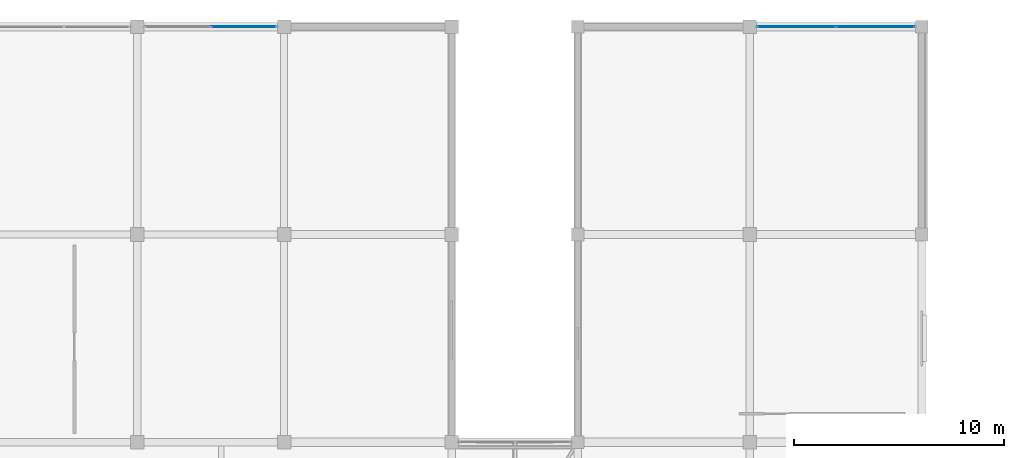
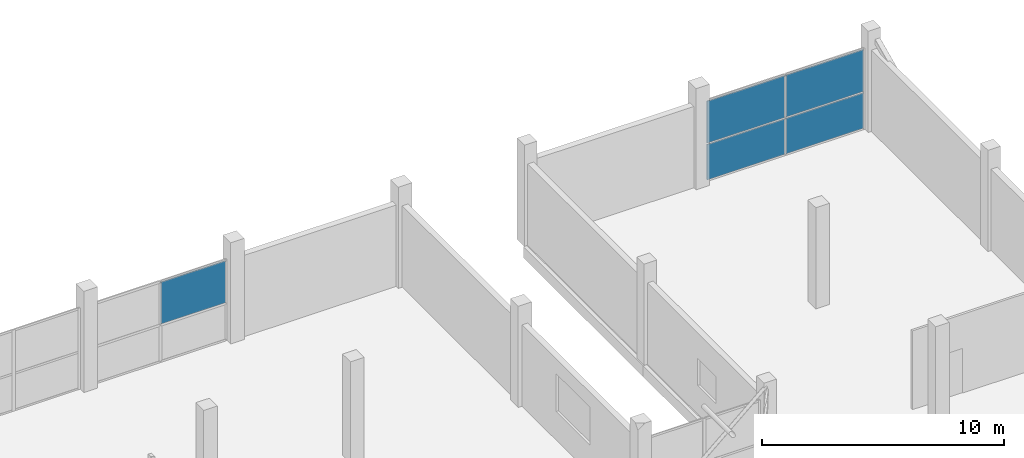
# One storey, part 45 of 58: 5 plates, 2 elements without a shape of their own.
"""IFC4 building model written with IfcOpenShell, lengths in metres."""

from ifc_helpers import new_model, si_unit, direction, frame, origin, origin_2d, place, context, subcontext, project, spatial, rectangle, extrude, material, layer, layer_set, type_object, element, aggregate, save


model = new_model("IFC4")

# Units and contexts
model_context = context("Model", 3, precision=1e-05, world=origin(), true_north=direction((0.0, 1.0)))
body_context = subcontext(model_context, "Body", "Model", "MODEL_VIEW")
ifc_project = project(units=[si_unit("LENGTHUNIT", "METRE"), si_unit("AREAUNIT", "SQUARE_METRE"), si_unit("VOLUMEUNIT", "CUBIC_METRE"), si_unit("PLANEANGLEUNIT", "RADIAN"), si_unit("MASSUNIT", "GRAM", prefix="KILO")], contexts=[model_context])

# Site, building, storey
site_placement = place(None, origin())
site = spatial("IfcSite", under=ifc_project, at=site_placement, CompositionType="ELEMENT")
building_placement = place(site_placement, origin())
building = spatial("IfcBuilding", under=site, at=building_placement, Name="Sillaruma Civic Art Gallery", CompositionType="ELEMENT")
storey_placement = place(building_placement, frame((0.0, 0.0, 52.02001953125)))
storey = spatial("IfcBuildingStorey", under=building, at=storey_placement, Name="L10", CompositionType="ELEMENT", Elevation=52.02001953125)

# Curtain wall, plate
ifc_material_1 = material(Name="Thermally Broken Extruded Aluminium 6063-T6", Category="aluminium")
ifc_layer_1 = layer(ifc_material_1, 0.139892578125, Name="Thermally Broken Extruded Aluminium 6063-T6")
ifc_layer_set_1 = layer_set([ifc_layer_1], Name="Thermally Broken Extruded Aluminium 6063-T6")
curtain_wall_type_1 = type_object("IfcCurtainWallType", Name="CW-UNI-76", PredefinedType="NOTDEFINED", material=ifc_layer_set_1)
curtain_wall_1_placement = place(storey_placement, origin())
curtain_wall_1 = element("IfcCurtainWall", 1, at=curtain_wall_1_placement, inside=storey, type_object=curtain_wall_type_1, Name="Unitised Curtain Wall CW-76 (CW-L10-WBN-3)", PredefinedType="NOTDEFINED")
ifc_material_2 = material(Name="Low-E UV-Filtered Laminated Insulating Glass", Category="glass")
ifc_layer_2 = layer(ifc_material_2, 0.033935546875, Name="Low-E UV-Filtered Laminated Insulating Glass")
ifc_layer_set_2 = layer_set([ifc_layer_2], Name="Low-E UV-Filtered Laminated Insulating Glass")
plate_type = type_object("IfcPlateType", Name="PNL-GLZ-34", PredefinedType="CURTAIN_PANEL", material=ifc_layer_set_2)
plate_1_placement = place(storey_placement, frame((82.072509765625, 99.0, 1.91845703125), z_axis=(0.0, 0.0, 1.0), x_axis=(1.0, 0.0, 0.0)))
plate_1 = element("IfcPlate", 2, at=plate_1_placement, type_object=plate_type, Name="CW-76 panel 2.2", PredefinedType="CURTAIN_PANEL", context=body_context, shape_type="SweptSolid", body=[
    extrude(rectangle(XDim=3.0849609375, YDim=0.033935546875, at=origin_2d()), origin(), (0.0, 0.0, 1.0), 2.116455078125),
])
aggregate(curtain_wall_1, [plate_1])

# Curtain wall, plates
ifc_layer_3 = layer(ifc_material_1, 0.139892578125, Name="Thermally Broken Extruded Aluminium 6063-T6")
ifc_layer_set_3 = layer_set([ifc_layer_3], Name="Thermally Broken Extruded Aluminium 6063-T6")
curtain_wall_type_2 = type_object("IfcCurtainWallType", Name="CW-UNI-83", PredefinedType="NOTDEFINED", material=ifc_layer_set_3)
curtain_wall_2_placement = place(storey_placement, origin())
curtain_wall_2 = element("IfcCurtainWall", 3, at=curtain_wall_2_placement, inside=storey, type_object=curtain_wall_type_2, Name="Unitised Curtain Wall CW-83 (CW-L10-EBN-2)", PredefinedType="NOTDEFINED")
plate_2_placement = place(storey_placement, frame((108.433837890625, 99.0, 0.06494140625), z_axis=(0.0, 0.0, 1.0), x_axis=(1.0, 0.0, 0.0)))
plate_2 = element("IfcPlate", 4, at=plate_2_placement, type_object=plate_type, Name="CW-83 panel 1.1", PredefinedType="CURTAIN_PANEL", context=body_context, shape_type="SweptSolid", body=[
    extrude(rectangle(XDim=3.697509765625, YDim=0.033935546875, at=origin_2d()), origin(), (0.0, 0.0, 1.0), 1.78857421875),
])
plate_3_placement = place(storey_placement, frame((108.433837890625, 99.0, 1.91845703125), z_axis=(0.0, 0.0, 1.0), x_axis=(1.0, 0.0, 0.0)))
plate_3 = element("IfcPlate", 5, at=plate_3_placement, type_object=plate_type, Name="CW-83 panel 1.2", PredefinedType="CURTAIN_PANEL", context=body_context, shape_type="SweptSolid", body=[
    extrude(rectangle(XDim=3.697509765625, YDim=0.033935546875, at=origin_2d()), origin(), (0.0, 0.0, 1.0), 2.116455078125),
])
plate_4_placement = place(storey_placement, frame((112.191162109375, 99.0, 0.06494140625), z_axis=(0.0, 0.0, 1.0), x_axis=(1.0, 0.0, 0.0)))
plate_4 = element("IfcPlate", 6, at=plate_4_placement, type_object=plate_type, Name="CW-83 panel 2.1", PredefinedType="CURTAIN_PANEL", context=body_context, shape_type="SweptSolid", body=[
    extrude(rectangle(XDim=3.697509765625, YDim=0.033935546875, at=origin_2d()), origin(), (0.0, 0.0, 1.0), 1.78857421875),
])
plate_5_placement = place(storey_placement, frame((112.191162109375, 99.0, 1.91845703125), z_axis=(0.0, 0.0, 1.0), x_axis=(1.0, 0.0, 0.0)))
plate_5 = element("IfcPlate", 7, at=plate_5_placement, type_object=plate_type, Name="CW-83 panel 2.2", PredefinedType="CURTAIN_PANEL", context=body_context, shape_type="SweptSolid", body=[
    extrude(rectangle(XDim=3.697509765625, YDim=0.033935546875, at=origin_2d()), origin(), (0.0, 0.0, 1.0), 2.116455078125),
])
aggregate(curtain_wall_2, [plate_2, plate_3, plate_4, plate_5])

save(model, "model.ifc")
